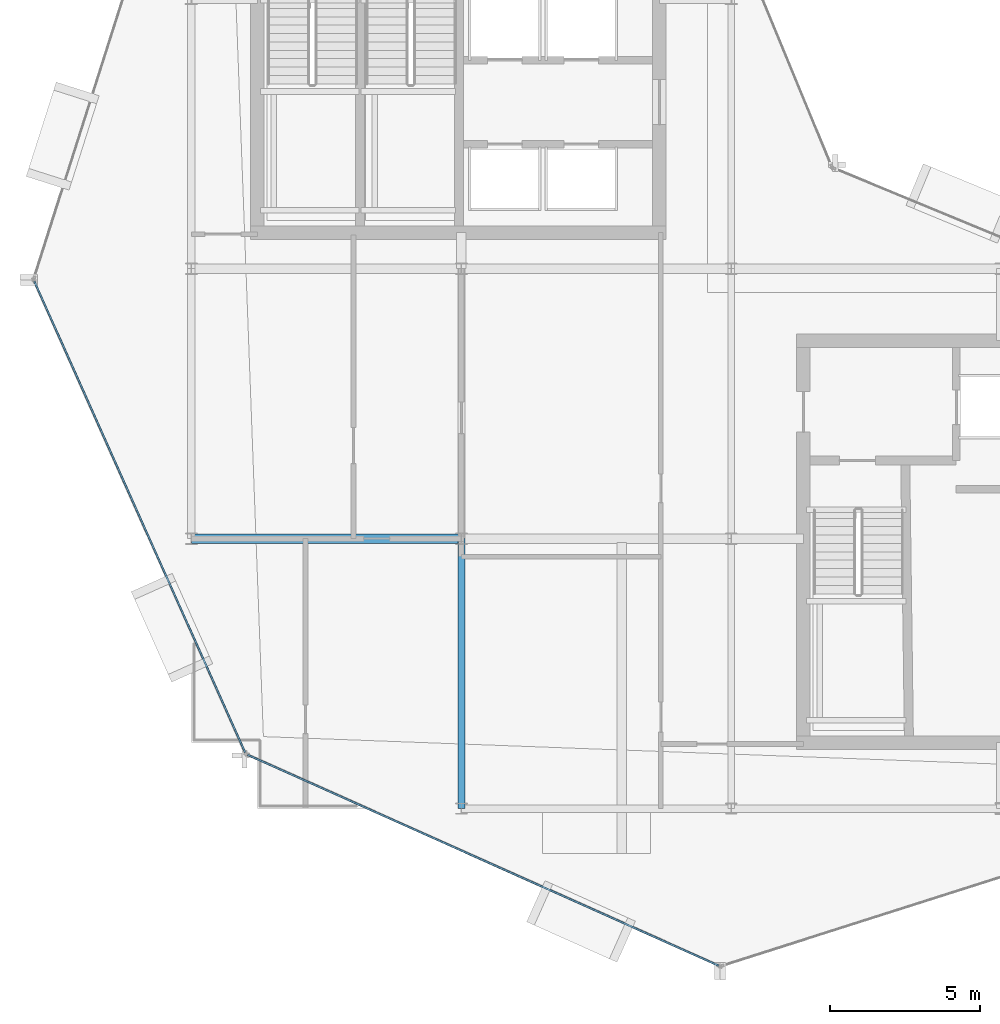
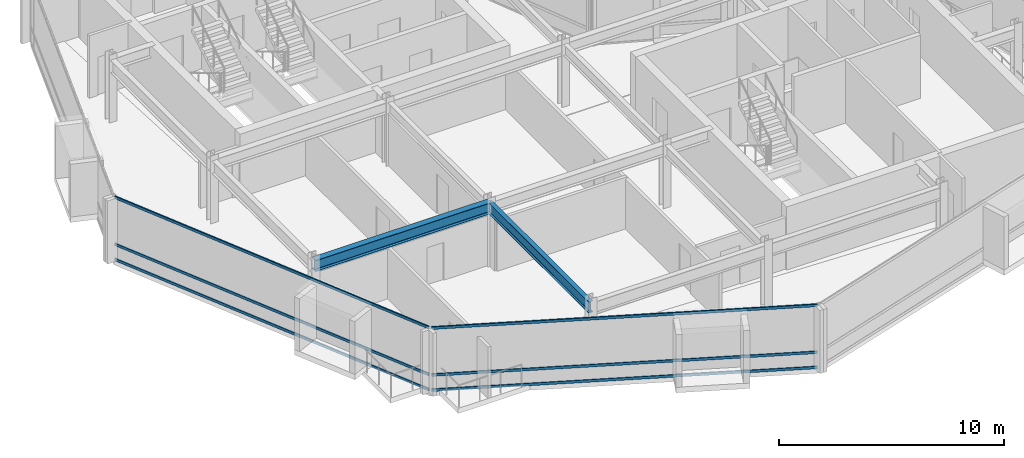
# One storey, part 3 of 19: 6 members, 2 beams, 2 elements without a shape of their own.
"""IFC4 building model written with IfcOpenShell, lengths in metres."""

import ifcopenshell
import ifcopenshell.guid

model = None  # the IFC model being written
_history = None  # IfcOwnerHistory: only IFC2X3 demands one
_inside = {}  # id of a spatial element -> (the spatial element, [elements in it])
_under = {}  # id of a project, library or spatial element -> (it, [spatial elements below it])
_declared = {}  # id of a project -> (the project, [libraries it declares])
_typed = {}  # id of a type object -> (the type object, [elements of that type])
_made_of = {}  # id of a material, layer set ... -> (it, [elements and type objects made of it])


def new_model(schema):
    """Start an empty IFC model of exactly this schema.

    Asked for "IFC4X3", IfcOpenShell would pick the latest addendum, in which some entities
    have other attributes; the version numbers below select the first issue.
    IFC2X3 requires an IfcOwnerHistory on every rooted entity: one is made here for all.
    """
    global model, _history
    if schema == "IFC4X3":
        model = ifcopenshell.file(schema_version=(4, 3, 0, 0))
    else:
        model = ifcopenshell.file(schema=schema)
    _inside.clear()
    _under.clear()
    _declared.clear()
    _typed.clear()
    _made_of.clear()
    _history = None
    if model.schema == "IFC2X3":
        org = make("IfcOrganization", Name="unknown")
        user = make(
            "IfcPersonAndOrganization",
            ThePerson=make("IfcPerson", FamilyName="unknown"),
            TheOrganization=org,
        )
        app = make(
            "IfcApplication",
            ApplicationDeveloper=org,
            Version="unknown",
            ApplicationFullName="unknown",
            ApplicationIdentifier="unknown",
        )
        _history = make(
            "IfcOwnerHistory",
            OwningUser=user,
            OwningApplication=app,
            ChangeAction="ADDED",
            CreationDate=0,
        )
    return model


def make(cls, **values):
    """One entity of the class cls with the attributes given. An attribute that is None is left unset."""
    return model.create_entity(
        cls, **{name: value for name, value in values.items() if value is not None}
    )


def rooted(cls, **values):
    """An entity with a GlobalId (a new one), such as an element, a storey or a relation."""
    return make(cls, GlobalId=ifcopenshell.guid.new(), OwnerHistory=_history, **values)


def si_unit(unit_type, name, prefix=None):
    """IfcSIUnit, for example si_unit("LENGTHUNIT", "METRE", prefix="MILLI")."""
    return make("IfcSIUnit", UnitType=unit_type, Prefix=prefix, Name=name)


def assignment(units):
    """IfcUnitAssignment: the units of a project."""
    return None if units is None else make("IfcUnitAssignment", Units=units)


def point(xyz):
    """IfcCartesianPoint."""
    return None if xyz is None else make("IfcCartesianPoint", Coordinates=xyz)


def direction(xyz):
    """IfcDirection."""
    return None if xyz is None else make("IfcDirection", DirectionRatios=xyz)


def frame(location, z_axis=None, x_axis=None):
    """IfcAxis2Placement3D, a coordinate frame: its origin and axes. An axis left out is left unset."""
    return make(
        "IfcAxis2Placement3D",
        Location=point(location),
        Axis=direction(z_axis),
        RefDirection=direction(x_axis),
    )


def frame_2d(location, x_axis=None):
    """IfcAxis2Placement2D, a coordinate frame in the plane: its origin and x axis."""
    return make(
        "IfcAxis2Placement2D", Location=point(location), RefDirection=direction(x_axis)
    )


def origin():
    """The frame at (0, 0, 0) with its axes left unset."""
    return frame((0.0, 0.0, 0.0))


def origin_2d():
    """The frame at (0, 0) in the plane with its x axis left unset."""
    return frame_2d((0.0, 0.0))


def place(relative_to, where):
    """IfcLocalPlacement: puts the frame where relative to a parent placement (None: the world)."""
    return make(
        "IfcLocalPlacement", PlacementRelTo=relative_to, RelativePlacement=where
    )


def context(
    kind, dimensions, precision=None, world=None, true_north=None, identifier=None
):
    """IfcGeometricRepresentationContext, for example the 3D "Model" context."""
    return make(
        "IfcGeometricRepresentationContext",
        ContextIdentifier=identifier,
        ContextType=kind,
        CoordinateSpaceDimension=dimensions,
        Precision=precision,
        WorldCoordinateSystem=world,
        TrueNorth=true_north,
    )


def subcontext(parent, identifier, kind, view, scale=None):
    """IfcGeometricRepresentationSubContext, for example "Body" below "Model"."""
    return make(
        "IfcGeometricRepresentationSubContext",
        ContextIdentifier=identifier,
        ContextType=kind,
        ParentContext=parent,
        TargetScale=scale,
        TargetView=view,
    )


def project(units=None, contexts=None):
    """IfcProject with its units and contexts."""
    return rooted(
        "IfcProject",
        Name="project",
        RepresentationContexts=contexts,
        UnitsInContext=assignment(units),
    )


def spatial(cls, under=None, at=None, **own):
    """A site, building, storey or space (cls), placed at a placement, below another one or the project."""
    s = rooted(cls, ObjectPlacement=at, **own)
    if under is not None:
        _under.setdefault(under.id(), (under, []))[1].append(s)
    return s


def profile(cls, at=None, kind="AREA", **sizes):
    """A parametric profile (cls). Its sizes go by their IFC names, for example OverallWidth=200.0."""
    return make(cls, ProfileType=kind, Position=at, **sizes)


def hollow_rectangle(**sizes):
    """IfcRectangleHollowProfileDef."""
    return profile("IfcRectangleHollowProfileDef", **sizes)


def i_section(**sizes):
    """IfcIShapeProfileDef."""
    return profile("IfcIShapeProfileDef", **sizes)


def extrude(swept, where, along, depth):
    """IfcExtrudedAreaSolid: the profile swept, set in the frame where, extruded along a direction by depth."""
    return make(
        "IfcExtrudedAreaSolid",
        SweptArea=swept,
        Position=where,
        ExtrudedDirection=direction(along),
        Depth=depth,
    )


def shape(context_of_items, identifier, shape_type, items):
    """IfcShapeRepresentation: the items that make up one representation, for example the "Body"."""
    return make(
        "IfcShapeRepresentation",
        ContextOfItems=context_of_items,
        RepresentationIdentifier=identifier,
        RepresentationType=shape_type,
        Items=items,
    )


def material(Name=None, Category=None):
    """IfcMaterial."""
    return make("IfcMaterial", Name=Name, Category=Category)


def layer(
    of_material, thickness, ventilated=None, Name=None, Category=None, Priority=None
):
    """IfcMaterialLayer: one layer of a wall or slab, of a material (None: an air gap)."""
    return make(
        "IfcMaterialLayer",
        Material=of_material,
        LayerThickness=thickness,
        IsVentilated=ventilated,
        Name=Name,
        Category=Category,
        Priority=Priority,
    )


def layer_set(layers, Name=None):
    """IfcMaterialLayerSet."""
    return make("IfcMaterialLayerSet", MaterialLayers=layers, LayerSetName=Name)


def material_profile(
    of_material, cross_section, Name=None, Category=None, Priority=None
):
    """IfcMaterialProfile: a cross section and its material."""
    return make(
        "IfcMaterialProfile",
        Name=Name,
        Material=of_material,
        Profile=cross_section,
        Priority=Priority,
        Category=Category,
    )


def profile_set(profiles, Name=None, composite=None):
    """IfcMaterialProfileSet."""
    return make(
        "IfcMaterialProfileSet",
        Name=Name,
        MaterialProfiles=profiles,
        CompositeProfile=composite,
    )


def made_of(thing, what):
    """Note that an element or type object is made of a material, layer set ...; save() writes the relation."""
    if what is not None:
        _made_of.setdefault(what.id(), (what, []))[1].append(thing)
    return thing


def type_object(cls, material=None, **own):
    """A type object (cls), such as IfcWallType, which elements share."""
    return made_of(rooted(cls, **own), material)


def element(
    cls,
    number,
    at=None,
    inside=None,
    cuts=None,
    type_object=None,
    material=None,
    context=None,
    identifier="Body",
    shape_type=None,
    held_by="IfcProductDefinitionShape",
    body=None,
    shapes=None,
    **own,
):
    """One element of the class cls, such as IfcWall. Its Tag is "e" and its number.

    at: its placement. inside: the storey or other place that contains it. cuts: it is an
    opening in that element (IfcRelVoidsElement). A single representation is given by context,
    identifier, shape_type and body (its items); several are given by shapes. held_by: the class
    of the entity that holds the representations. save() writes the other relations.
    """
    e = rooted(cls, Tag="e%d" % number, ObjectPlacement=at, **own)
    if body is not None:
        shapes = [shape(context, identifier, shape_type, body)]
    if shapes is not None:
        e.Representation = make(held_by, Representations=shapes)
    if inside is not None:
        _inside.setdefault(inside.id(), (inside, []))[1].append(e)
    if cuts is not None:
        rooted(
            "IfcRelVoidsElement", RelatingBuildingElement=cuts, RelatedOpeningElement=e
        )
    if type_object is not None:
        _typed.setdefault(type_object.id(), (type_object, []))[1].append(e)
    return made_of(e, material)


def aggregate(whole, parts):
    """IfcRelAggregates: a whole, such as a stair, and the parts it consists of."""
    return rooted("IfcRelAggregates", RelatingObject=whole, RelatedObjects=parts)


def save(model, path):
    """Write the relations noted so far, then the file.

    IfcRelAggregates (storeys below a building ...), IfcRelContainedInSpatialStructure (elements
    in a storey), IfcRelDefinesByType, IfcRelAssociatesMaterial and IfcRelDeclares: one each for
    every whole, place, type object, material and project.
    """
    for whole, parts in _under.values():
        aggregate(whole, parts)
    for where, things in _inside.values():
        rooted(
            "IfcRelContainedInSpatialStructure",
            RelatedElements=things,
            RelatingStructure=where,
        )
    for kind, things in _typed.values():
        rooted("IfcRelDefinesByType", RelatedObjects=things, RelatingType=kind)
    for what, things in _made_of.values():
        rooted("IfcRelAssociatesMaterial", RelatedObjects=things, RelatingMaterial=what)
    for by, libraries in _declared.values():
        rooted("IfcRelDeclares", RelatingContext=by, RelatedDefinitions=libraries)
    model.write(path)


model = new_model("IFC4")

# Units and contexts
model_context = context("Model", 3, precision=1e-05, world=origin(), true_north=direction((0.0, 1.0)))
body_context = subcontext(model_context, "Body", "Model", "MODEL_VIEW")
ifc_project = project(units=[si_unit("LENGTHUNIT", "METRE"), si_unit("AREAUNIT", "SQUARE_METRE"), si_unit("VOLUMEUNIT", "CUBIC_METRE"), si_unit("PLANEANGLEUNIT", "RADIAN"), si_unit("MASSUNIT", "GRAM", prefix="KILO")], contexts=[model_context])

# Site, building, storey
site_placement = place(None, origin())
site = spatial("IfcSite", under=ifc_project, at=site_placement, CompositionType="ELEMENT")
building_placement = place(site_placement, origin())
building = spatial("IfcBuilding", under=site, at=building_placement, Name="Solvaryn Broadcast Tower", CompositionType="ELEMENT")
storey_placement = place(building_placement, frame((0.0, 0.0, 277.800048828125)))
storey = spatial("IfcBuildingStorey", under=building, at=storey_placement, Name="L70", CompositionType="ELEMENT", Elevation=277.800048828125)

# Beams
ifc_material_1 = material(Name="Steel ASTM A992 Grade 50", Category="steel")
ifc_material_profile_1 = material_profile(ifc_material_1, i_section(OverallWidth=0.323974609375, OverallDepth=0.611083984375, WebThickness=0.0126953125, FlangeThickness=0.01904296875, FilletRadius=0.014892578125, at=origin_2d()))
ifc_profile_set_1 = profile_set([ifc_material_profile_1], Name="Steel ASTM A992 Grade 50")
beam_type_1 = type_object("IfcBeamType", Name="BM-B1-W24X104", PredefinedType="BEAM", material=ifc_profile_set_1)
beam_1_placement = place(storey_placement, frame((9.0, 18.0, 3.114501953125), z_axis=(1.0, 0.0, 0.0), x_axis=(0.0, 1.0, 0.0)))
element("IfcBeam", 1, at=beam_1_placement, inside=storey, type_object=beam_type_1, Name="L70 Primary Beam X (9-18 @ Y=18)", PredefinedType="BEAM", context=body_context, shape_type="SweptSolid", body=[
    extrude(i_section(OverallWidth=0.323974609375, OverallDepth=0.611083984375, WebThickness=0.0126953125, FlangeThickness=0.01904296875, FilletRadius=0.014892578125, at=origin_2d()), origin(), (0.0, 0.0, 1.0), 9.0),
])
ifc_material_2 = material(Name="Steel ASTM A992 Grade 50", Category="steel")
ifc_material_profile_2 = material_profile(ifc_material_2, i_section(OverallWidth=0.22802734375, OverallDepth=0.60791015625, WebThickness=0.01123046875, FlangeThickness=0.017333984375, FilletRadius=0.014892578125, at=origin_2d()))
ifc_profile_set_2 = profile_set([ifc_material_profile_2], Name="Steel ASTM A992 Grade 50")
beam_type_2 = type_object("IfcBeamType", Name="BM-B2-W24X76", PredefinedType="BEAM", material=ifc_profile_set_2)
beam_2_placement = place(storey_placement, frame((18.0, 9.0, 3.115966796875), z_axis=(0.0, 1.0, 0.0), x_axis=(-1.0, 0.0, 0.0)))
element("IfcBeam", 2, at=beam_2_placement, inside=storey, type_object=beam_type_2, Name="L70 Primary Beam Y (9-18 @ X=18)", PredefinedType="BEAM", context=body_context, shape_type="SweptSolid", body=[
    extrude(i_section(OverallWidth=0.22802734375, OverallDepth=0.60791015625, WebThickness=0.01123046875, FlangeThickness=0.017333984375, FilletRadius=0.014892578125, at=origin_2d()), origin(), (0.0, 0.0, 1.0), 9.0),
])

# Curtain wall, members
ifc_material_3 = material(Name="Aluminium and Terracotta Unitised Curtain Wall", Category="masonry")
ifc_layer_1 = layer(ifc_material_3, 0.239990234375)
ifc_layer_set_1 = layer_set([ifc_layer_1], Name="CW-SYS3-BAYBOX")
curtain_wall_type_1 = type_object("IfcCurtainWallType", Name="CW-SYS3-BAYBOX", PredefinedType="NOTDEFINED", material=ifc_layer_set_1)
curtain_wall_1_placement = place(storey_placement, origin())
curtain_wall_1 = element("IfcCurtainWall", 3, at=curtain_wall_1_placement, inside=storey, type_object=curtain_wall_type_1, Name="L70 Curtain Wall DR2", PredefinedType="NOTDEFINED")
ifc_material_4 = material(Name="Anodised Aluminium 6063-T6", Category="aluminium")
ifc_material_profile_3 = material_profile(ifc_material_4, hollow_rectangle(XDim=0.06494140625, YDim=0.14990234375, WallThickness=0.00390625, InnerFilletRadius=0.00390625, OuterFilletRadius=0.008056640625, at=origin_2d()))
ifc_profile_set_3 = profile_set([ifc_material_profile_3], Name="Anodised Aluminium 6063-T6")
member_type = type_object("IfcMemberType", Name="CW-TRN-150", PredefinedType="USERDEFINED", material=ifc_profile_set_3)
member_1_placement = place(storey_placement, frame((3.762451171875, 26.581298828125, 0.030029296875), z_axis=(0.408468080937, -0.912772604133, 0.0), x_axis=(0.912772604133, 0.408468080937, 0.0)))
member_1 = element("IfcMember", 4, at=member_1_placement, type_object=member_type, Name="CWS3 transom 1.1", ObjectType="TRANSOM", PredefinedType="USERDEFINED", context=body_context, shape_type="SweptSolid", body=[
    extrude(hollow_rectangle(XDim=0.06494140625, YDim=0.14990234375, WallThickness=0.00390625, InnerFilletRadius=0.00390625, OuterFilletRadius=0.008056640625, at=origin_2d()), origin(), (0.0, 0.0, 1.0), 17.210693359375),
])
member_2_placement = place(storey_placement, frame((3.762451171875, 26.581298828125, 0.849853515625), z_axis=(0.408468080937, -0.912772604133, 0.0), x_axis=(0.912772604133, 0.408468080937, 0.0)))
member_2 = element("IfcMember", 5, at=member_2_placement, type_object=member_type, Name="CWS3 transom 1.2", ObjectType="TRANSOM", PredefinedType="USERDEFINED", context=body_context, shape_type="SweptSolid", body=[
    extrude(hollow_rectangle(XDim=0.06494140625, YDim=0.14990234375, WallThickness=0.00390625, InnerFilletRadius=0.00390625, OuterFilletRadius=0.008056640625, at=origin_2d()), origin(), (0.0, 0.0, 1.0), 17.210693359375),
])
member_3_placement = place(storey_placement, frame((3.762451171875, 26.581298828125, 3.389892578125), z_axis=(0.408468080937, -0.912772604133, 0.0), x_axis=(0.912772604133, 0.408468080937, 0.0)))
member_3 = element("IfcMember", 6, at=member_3_placement, type_object=member_type, Name="CWS3 transom 1.3", ObjectType="TRANSOM", PredefinedType="USERDEFINED", context=body_context, shape_type="SweptSolid", body=[
    extrude(hollow_rectangle(XDim=0.06494140625, YDim=0.14990234375, WallThickness=0.00390625, InnerFilletRadius=0.00390625, OuterFilletRadius=0.008056640625, at=origin_2d()), origin(), (0.0, 0.0, 1.0), 17.210693359375),
])
aggregate(curtain_wall_1, [member_1, member_2, member_3])

ifc_material_5 = material(Name="Aluminium and Terracotta Unitised Curtain Wall", Category="masonry")
ifc_layer_2 = layer(ifc_material_5, 0.199951171875)
ifc_layer_set_2 = layer_set([ifc_layer_2], Name="CW-SYS2-LOWMID")
curtain_wall_type_2 = type_object("IfcCurtainWallType", Name="CW-SYS2-LOWMID", PredefinedType="NOTDEFINED", material=ifc_layer_set_2)
curtain_wall_2_placement = place(storey_placement, origin())
curtain_wall_2 = element("IfcCurtainWall", 7, at=curtain_wall_2_placement, inside=storey, type_object=curtain_wall_type_2, Name="L70 Curtain Wall DR3", PredefinedType="NOTDEFINED")
member_4_placement = place(storey_placement, frame((10.871826171875, 10.79248046875, 0.030029296875), z_axis=(0.912772604133, -0.408468080937, 0.0), x_axis=(0.408468080937, 0.912772604133, 0.0)))
member_4 = element("IfcMember", 8, at=member_4_placement, type_object=member_type, Name="CWS2 transom 1.1", ObjectType="TRANSOM", PredefinedType="USERDEFINED", context=body_context, shape_type="SweptSolid", body=[
    extrude(hollow_rectangle(XDim=0.06494140625, YDim=0.14990234375, WallThickness=0.00390625, InnerFilletRadius=0.00390625, OuterFilletRadius=0.008056640625, at=origin_2d()), origin(), (0.0, 0.0, 1.0), 17.210693359375),
])
member_5_placement = place(storey_placement, frame((10.871826171875, 10.79248046875, 0.849853515625), z_axis=(0.912772604133, -0.408468080937, 0.0), x_axis=(0.408468080937, 0.912772604133, 0.0)))
member_5 = element("IfcMember", 9, at=member_5_placement, type_object=member_type, Name="CWS2 transom 1.2", ObjectType="TRANSOM", PredefinedType="USERDEFINED", context=body_context, shape_type="SweptSolid", body=[
    extrude(hollow_rectangle(XDim=0.06494140625, YDim=0.14990234375, WallThickness=0.00390625, InnerFilletRadius=0.00390625, OuterFilletRadius=0.008056640625, at=origin_2d()), origin(), (0.0, 0.0, 1.0), 17.210693359375),
])
member_6_placement = place(storey_placement, frame((10.871826171875, 10.79248046875, 3.389892578125), z_axis=(0.912772604133, -0.408468080937, 0.0), x_axis=(0.408468080937, 0.912772604133, 0.0)))
member_6 = element("IfcMember", 10, at=member_6_placement, type_object=member_type, Name="CWS2 transom 1.3", ObjectType="TRANSOM", PredefinedType="USERDEFINED", context=body_context, shape_type="SweptSolid", body=[
    extrude(hollow_rectangle(XDim=0.06494140625, YDim=0.14990234375, WallThickness=0.00390625, InnerFilletRadius=0.00390625, OuterFilletRadius=0.008056640625, at=origin_2d()), origin(), (0.0, 0.0, 1.0), 17.210693359375),
])
aggregate(curtain_wall_2, [member_4, member_5, member_6])

save(model, "model.ifc")
